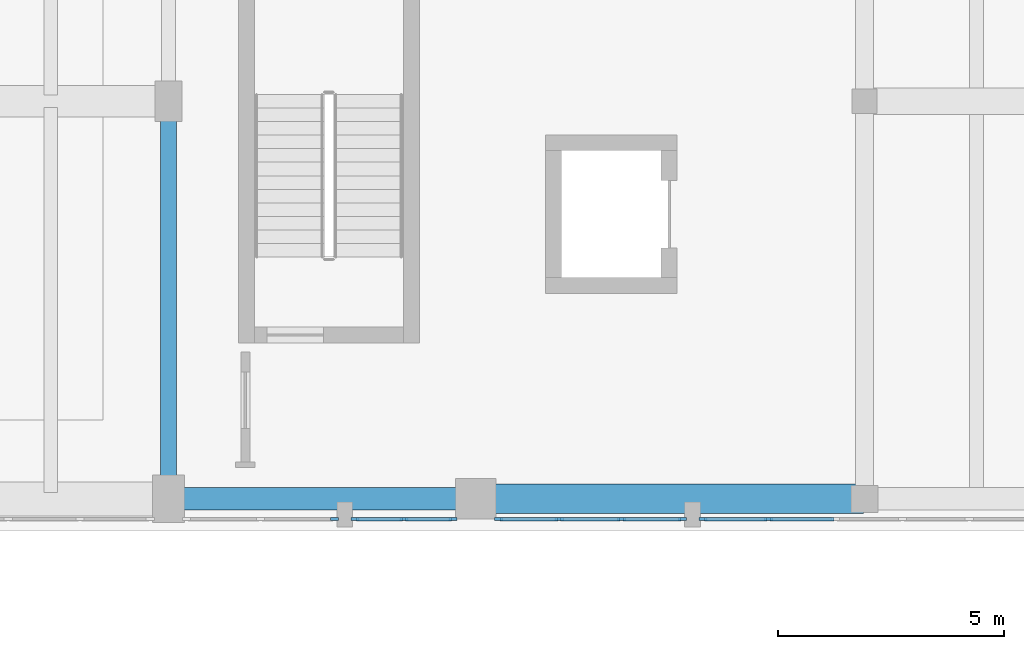
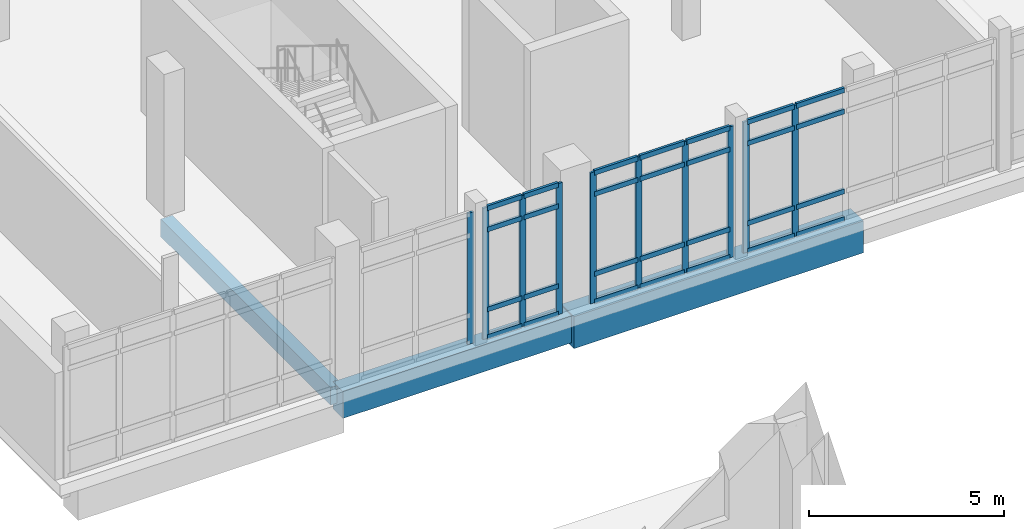
# One storey, part 26 of 89: 38 members, 3 beams, 4 elements without a shape of their own.
"""IFC4 building model written with IfcOpenShell, lengths in metres."""

import ifcopenshell
import ifcopenshell.guid

model = None  # the IFC model being written
_history = None  # IfcOwnerHistory: only IFC2X3 demands one
_inside = {}  # id of a spatial element -> (the spatial element, [elements in it])
_under = {}  # id of a project, library or spatial element -> (it, [spatial elements below it])
_declared = {}  # id of a project -> (the project, [libraries it declares])
_typed = {}  # id of a type object -> (the type object, [elements of that type])
_made_of = {}  # id of a material, layer set ... -> (it, [elements and type objects made of it])


def new_model(schema):
    """Start an empty IFC model of exactly this schema.

    Asked for "IFC4X3", IfcOpenShell would pick the latest addendum, in which some entities
    have other attributes; the version numbers below select the first issue.
    IFC2X3 requires an IfcOwnerHistory on every rooted entity: one is made here for all.
    """
    global model, _history
    if schema == "IFC4X3":
        model = ifcopenshell.file(schema_version=(4, 3, 0, 0))
    else:
        model = ifcopenshell.file(schema=schema)
    _inside.clear()
    _under.clear()
    _declared.clear()
    _typed.clear()
    _made_of.clear()
    _history = None
    if model.schema == "IFC2X3":
        org = make("IfcOrganization", Name="unknown")
        user = make(
            "IfcPersonAndOrganization",
            ThePerson=make("IfcPerson", FamilyName="unknown"),
            TheOrganization=org,
        )
        app = make(
            "IfcApplication",
            ApplicationDeveloper=org,
            Version="unknown",
            ApplicationFullName="unknown",
            ApplicationIdentifier="unknown",
        )
        _history = make(
            "IfcOwnerHistory",
            OwningUser=user,
            OwningApplication=app,
            ChangeAction="ADDED",
            CreationDate=0,
        )
    return model


def make(cls, **values):
    """One entity of the class cls with the attributes given. An attribute that is None is left unset."""
    return model.create_entity(
        cls, **{name: value for name, value in values.items() if value is not None}
    )


def rooted(cls, **values):
    """An entity with a GlobalId (a new one), such as an element, a storey or a relation."""
    return make(cls, GlobalId=ifcopenshell.guid.new(), OwnerHistory=_history, **values)


def si_unit(unit_type, name, prefix=None):
    """IfcSIUnit, for example si_unit("LENGTHUNIT", "METRE", prefix="MILLI")."""
    return make("IfcSIUnit", UnitType=unit_type, Prefix=prefix, Name=name)


def assignment(units):
    """IfcUnitAssignment: the units of a project."""
    return None if units is None else make("IfcUnitAssignment", Units=units)


def point(xyz):
    """IfcCartesianPoint."""
    return None if xyz is None else make("IfcCartesianPoint", Coordinates=xyz)


def direction(xyz):
    """IfcDirection."""
    return None if xyz is None else make("IfcDirection", DirectionRatios=xyz)


def frame(location, z_axis=None, x_axis=None):
    """IfcAxis2Placement3D, a coordinate frame: its origin and axes. An axis left out is left unset."""
    return make(
        "IfcAxis2Placement3D",
        Location=point(location),
        Axis=direction(z_axis),
        RefDirection=direction(x_axis),
    )


def frame_2d(location, x_axis=None):
    """IfcAxis2Placement2D, a coordinate frame in the plane: its origin and x axis."""
    return make(
        "IfcAxis2Placement2D", Location=point(location), RefDirection=direction(x_axis)
    )


def origin():
    """The frame at (0, 0, 0) with its axes left unset."""
    return frame((0.0, 0.0, 0.0))


def origin_2d():
    """The frame at (0, 0) in the plane with its x axis left unset."""
    return frame_2d((0.0, 0.0))


def place(relative_to, where):
    """IfcLocalPlacement: puts the frame where relative to a parent placement (None: the world)."""
    return make(
        "IfcLocalPlacement", PlacementRelTo=relative_to, RelativePlacement=where
    )


def context(
    kind, dimensions, precision=None, world=None, true_north=None, identifier=None
):
    """IfcGeometricRepresentationContext, for example the 3D "Model" context."""
    return make(
        "IfcGeometricRepresentationContext",
        ContextIdentifier=identifier,
        ContextType=kind,
        CoordinateSpaceDimension=dimensions,
        Precision=precision,
        WorldCoordinateSystem=world,
        TrueNorth=true_north,
    )


def subcontext(parent, identifier, kind, view, scale=None):
    """IfcGeometricRepresentationSubContext, for example "Body" below "Model"."""
    return make(
        "IfcGeometricRepresentationSubContext",
        ContextIdentifier=identifier,
        ContextType=kind,
        ParentContext=parent,
        TargetScale=scale,
        TargetView=view,
    )


def project(units=None, contexts=None):
    """IfcProject with its units and contexts."""
    return rooted(
        "IfcProject",
        Name="project",
        RepresentationContexts=contexts,
        UnitsInContext=assignment(units),
    )


def spatial(cls, under=None, at=None, **own):
    """A site, building, storey or space (cls), placed at a placement, below another one or the project."""
    s = rooted(cls, ObjectPlacement=at, **own)
    if under is not None:
        _under.setdefault(under.id(), (under, []))[1].append(s)
    return s


def profile(cls, at=None, kind="AREA", **sizes):
    """A parametric profile (cls). Its sizes go by their IFC names, for example OverallWidth=200.0."""
    return make(cls, ProfileType=kind, Position=at, **sizes)


def rectangle(**sizes):
    """IfcRectangleProfileDef."""
    return profile("IfcRectangleProfileDef", **sizes)


def extrude(swept, where, along, depth):
    """IfcExtrudedAreaSolid: the profile swept, set in the frame where, extruded along a direction by depth."""
    return make(
        "IfcExtrudedAreaSolid",
        SweptArea=swept,
        Position=where,
        ExtrudedDirection=direction(along),
        Depth=depth,
    )


def shape(context_of_items, identifier, shape_type, items):
    """IfcShapeRepresentation: the items that make up one representation, for example the "Body"."""
    return make(
        "IfcShapeRepresentation",
        ContextOfItems=context_of_items,
        RepresentationIdentifier=identifier,
        RepresentationType=shape_type,
        Items=items,
    )


def material(Name=None, Category=None):
    """IfcMaterial."""
    return make("IfcMaterial", Name=Name, Category=Category)


def material_profile(
    of_material, cross_section, Name=None, Category=None, Priority=None
):
    """IfcMaterialProfile: a cross section and its material."""
    return make(
        "IfcMaterialProfile",
        Name=Name,
        Material=of_material,
        Profile=cross_section,
        Priority=Priority,
        Category=Category,
    )


def profile_set(profiles, Name=None, composite=None):
    """IfcMaterialProfileSet."""
    return make(
        "IfcMaterialProfileSet",
        Name=Name,
        MaterialProfiles=profiles,
        CompositeProfile=composite,
    )


def made_of(thing, what):
    """Note that an element or type object is made of a material, layer set ...; save() writes the relation."""
    if what is not None:
        _made_of.setdefault(what.id(), (what, []))[1].append(thing)
    return thing


def type_object(cls, material=None, **own):
    """A type object (cls), such as IfcWallType, which elements share."""
    return made_of(rooted(cls, **own), material)


def element(
    cls,
    number,
    at=None,
    inside=None,
    cuts=None,
    type_object=None,
    material=None,
    context=None,
    identifier="Body",
    shape_type=None,
    held_by="IfcProductDefinitionShape",
    body=None,
    shapes=None,
    **own,
):
    """One element of the class cls, such as IfcWall. Its Tag is "e" and its number.

    at: its placement. inside: the storey or other place that contains it. cuts: it is an
    opening in that element (IfcRelVoidsElement). A single representation is given by context,
    identifier, shape_type and body (its items); several are given by shapes. held_by: the class
    of the entity that holds the representations. save() writes the other relations.
    """
    e = rooted(cls, Tag="e%d" % number, ObjectPlacement=at, **own)
    if body is not None:
        shapes = [shape(context, identifier, shape_type, body)]
    if shapes is not None:
        e.Representation = make(held_by, Representations=shapes)
    if inside is not None:
        _inside.setdefault(inside.id(), (inside, []))[1].append(e)
    if cuts is not None:
        rooted(
            "IfcRelVoidsElement", RelatingBuildingElement=cuts, RelatedOpeningElement=e
        )
    if type_object is not None:
        _typed.setdefault(type_object.id(), (type_object, []))[1].append(e)
    return made_of(e, material)


def aggregate(whole, parts):
    """IfcRelAggregates: a whole, such as a stair, and the parts it consists of."""
    return rooted("IfcRelAggregates", RelatingObject=whole, RelatedObjects=parts)


def save(model, path):
    """Write the relations noted so far, then the file.

    IfcRelAggregates (storeys below a building ...), IfcRelContainedInSpatialStructure (elements
    in a storey), IfcRelDefinesByType, IfcRelAssociatesMaterial and IfcRelDeclares: one each for
    every whole, place, type object, material and project.
    """
    for whole, parts in _under.values():
        aggregate(whole, parts)
    for where, things in _inside.values():
        rooted(
            "IfcRelContainedInSpatialStructure",
            RelatedElements=things,
            RelatingStructure=where,
        )
    for kind, things in _typed.values():
        rooted("IfcRelDefinesByType", RelatedObjects=things, RelatingType=kind)
    for what, things in _made_of.values():
        rooted("IfcRelAssociatesMaterial", RelatedObjects=things, RelatingMaterial=what)
    for by, libraries in _declared.values():
        rooted("IfcRelDeclares", RelatingContext=by, RelatedDefinitions=libraries)
    model.write(path)


model = new_model("IFC4")

# Units and contexts
model_context = context("Model", 3, precision=1e-05, world=origin(), true_north=direction((0.0, 1.0)))
body_context = subcontext(model_context, "Body", "Model", "MODEL_VIEW")
ifc_project = project(units=[si_unit("LENGTHUNIT", "METRE"), si_unit("AREAUNIT", "SQUARE_METRE"), si_unit("VOLUMEUNIT", "CUBIC_METRE"), si_unit("PLANEANGLEUNIT", "RADIAN"), si_unit("MASSUNIT", "GRAM", prefix="KILO")], contexts=[model_context])

# Site, building, storey
site_placement = place(None, origin())
site = spatial("IfcSite", under=ifc_project, at=site_placement, CompositionType="ELEMENT")
building_placement = place(site_placement, origin())
building = spatial("IfcBuilding", under=site, at=building_placement, Name="Soyqirgoq Riverine Aquarium", CompositionType="ELEMENT")
storey_placement = place(building_placement, frame((0.0, 0.0, 5.39990234375)))
storey = spatial("IfcBuildingStorey", under=building, at=storey_placement, Name="L02", CompositionType="ELEMENT", Elevation=5.39990234375)

# Curtain wall, members
ifc_material_1 = material(Name="Anodised aluminium thermally broken gallery curtain wall", Category="aluminium")
curtain_wall_type = type_object("IfcCurtainWallType", Name="CW_Pavilion_Ribbon", PredefinedType="NOTDEFINED", material=ifc_material_1)
curtain_wall_1_placement = place(storey_placement, origin())
curtain_wall_1 = element("IfcCurtainWall", 1, at=curtain_wall_1_placement, inside=storey, type_object=curtain_wall_type, Name="V7 L02 Curtain Wall 127", PredefinedType="NOTDEFINED")
ifc_material_2 = material(Name="Anodised aluminium 6063-T6", Category="aluminium")
ifc_material_profile_1 = material_profile(ifc_material_2, rectangle(XDim=0.06494140625, YDim=0.179931640625, at=origin_2d()), Name="ALU-M 65x180")
ifc_profile_set_1 = profile_set([ifc_material_profile_1], Name="Anodised aluminium 6063-T6")
member_type_1 = type_object("IfcMemberType", Name="CWMullion_65x180", PredefinedType="MULLION", material=ifc_profile_set_1)
member_1_placement = place(storey_placement, frame((135.876953125, 56.25, 0.0), z_axis=(0.0, 0.0, 1.0), x_axis=(0.0, -1.0, 0.0)))
member_1 = element("IfcMember", 2, at=member_1_placement, type_object=member_type_1, Name="CW-05 mullion 5", PredefinedType="MULLION", context=body_context, shape_type="SweptSolid", body=[
    extrude(rectangle(XDim=0.06494140625, YDim=0.179931640625, at=origin_2d()), origin(), (0.0, 0.0, 1.0), 4.10009765625),
])
member_2_placement = place(storey_placement, frame((134.427490234375, 56.25, 0.0), z_axis=(0.0, 0.0, 1.0), x_axis=(0.0, -1.0, 0.0)))
member_2 = element("IfcMember", 3, at=member_2_placement, type_object=member_type_1, Name="CW-05 mullion 6", PredefinedType="MULLION", context=body_context, shape_type="SweptSolid", body=[
    extrude(rectangle(XDim=0.06494140625, YDim=0.179931640625, at=origin_2d()), origin(), (0.0, 0.0, 1.0), 4.10009765625),
])

curtain_wall_2_placement = place(storey_placement, origin())
curtain_wall_2 = element("IfcCurtainWall", 4, at=curtain_wall_2_placement, inside=storey, type_object=curtain_wall_type, Name="V7 L02 Curtain Wall 128", PredefinedType="NOTDEFINED")
member_3_placement = place(storey_placement, frame((133.972412109375, 56.25, 0.0), z_axis=(0.0, 0.0, 1.0), x_axis=(0.0, -1.0, 0.0)))
member_3 = element("IfcMember", 5, at=member_3_placement, type_object=member_type_1, Name="CW-05 mullion 1", PredefinedType="MULLION", context=body_context, shape_type="SweptSolid", body=[
    extrude(rectangle(XDim=0.06494140625, YDim=0.179931640625, at=origin_2d()), origin(), (0.0, 0.0, 1.0), 4.10009765625),
])
member_4_placement = place(storey_placement, frame((132.626708984375, 56.25, 0.0), z_axis=(0.0, 0.0, 1.0), x_axis=(0.0, -1.0, 0.0)))
member_4 = element("IfcMember", 6, at=member_4_placement, type_object=member_type_1, Name="CW-05 mullion 2", PredefinedType="MULLION", context=body_context, shape_type="SweptSolid", body=[
    extrude(rectangle(XDim=0.06494140625, YDim=0.179931640625, at=origin_2d()), origin(), (0.0, 0.0, 1.0), 4.10009765625),
])
member_5_placement = place(storey_placement, frame((131.248291015625, 56.25, 0.0), z_axis=(0.0, 0.0, 1.0), x_axis=(0.0, -1.0, 0.0)))
member_5 = element("IfcMember", 7, at=member_5_placement, type_object=member_type_1, Name="CW-05 mullion 3", PredefinedType="MULLION", context=body_context, shape_type="SweptSolid", body=[
    extrude(rectangle(XDim=0.06494140625, YDim=0.179931640625, at=origin_2d()), origin(), (0.0, 0.0, 1.0), 4.10009765625),
])
member_6_placement = place(storey_placement, frame((129.902587890625, 56.25, 0.0), z_axis=(0.0, 0.0, 1.0), x_axis=(0.0, -1.0, 0.0)))
member_6 = element("IfcMember", 8, at=member_6_placement, type_object=member_type_1, Name="CW-05 mullion 4", PredefinedType="MULLION", context=body_context, shape_type="SweptSolid", body=[
    extrude(rectangle(XDim=0.06494140625, YDim=0.179931640625, at=origin_2d()), origin(), (0.0, 0.0, 1.0), 4.10009765625),
])

curtain_wall_3_placement = place(storey_placement, origin())
curtain_wall_3 = element("IfcCurtainWall", 9, at=curtain_wall_3_placement, inside=storey, type_object=curtain_wall_type, Name="V7 L02 Curtain Wall 129", PredefinedType="NOTDEFINED")
member_7_placement = place(storey_placement, frame((128.8974609375, 56.25, 0.0), z_axis=(0.0, 0.0, 1.0), x_axis=(0.0, -1.0, 0.0)))
member_7 = element("IfcMember", 10, at=member_7_placement, type_object=member_type_1, Name="CW-05 mullion 1", PredefinedType="MULLION", context=body_context, shape_type="SweptSolid", body=[
    extrude(rectangle(XDim=0.06494140625, YDim=0.179931640625, at=origin_2d()), origin(), (0.0, 0.0, 1.0), 4.10009765625),
])
member_8_placement = place(storey_placement, frame((127.8125, 56.25, 0.0), z_axis=(0.0, 0.0, 1.0), x_axis=(0.0, -1.0, 0.0)))
member_8 = element("IfcMember", 11, at=member_8_placement, type_object=member_type_1, Name="CW-05 mullion 2", PredefinedType="MULLION", context=body_context, shape_type="SweptSolid", body=[
    extrude(rectangle(XDim=0.06494140625, YDim=0.179931640625, at=origin_2d()), origin(), (0.0, 0.0, 1.0), 4.10009765625),
])
member_9_placement = place(storey_placement, frame((126.7275390625, 56.25, 0.0), z_axis=(0.0, 0.0, 1.0), x_axis=(0.0, -1.0, 0.0)))
member_9 = element("IfcMember", 12, at=member_9_placement, type_object=member_type_1, Name="CW-05 mullion 3", PredefinedType="MULLION", context=body_context, shape_type="SweptSolid", body=[
    extrude(rectangle(XDim=0.06494140625, YDim=0.179931640625, at=origin_2d()), origin(), (0.0, 0.0, 1.0), 4.10009765625),
])

# Curtain wall, member
curtain_wall_4_placement = place(storey_placement, origin())
curtain_wall_4 = element("IfcCurtainWall", 13, at=curtain_wall_4_placement, inside=storey, type_object=curtain_wall_type, Name="V7 L02 Curtain Wall 130", PredefinedType="NOTDEFINED")
member_10_placement = place(storey_placement, frame((126.2724609375, 56.25, 0.0), z_axis=(0.0, 0.0, 1.0), x_axis=(0.0, -1.0, 0.0)))
member_10 = element("IfcMember", 14, at=member_10_placement, type_object=member_type_1, Name="CW-05 mullion 1", PredefinedType="MULLION", context=body_context, shape_type="SweptSolid", body=[
    extrude(rectangle(XDim=0.06494140625, YDim=0.179931640625, at=origin_2d()), origin(), (0.0, 0.0, 1.0), 4.10009765625),
])
aggregate(curtain_wall_4, [member_10])

# Member
ifc_material_3 = material(Name="Anodised aluminium 6063-T6", Category="aluminium")
ifc_material_profile_2 = material_profile(ifc_material_3, rectangle(XDim=0.074951171875, YDim=0.14990234375, at=origin_2d()), Name="ALU-T 75x150")
ifc_profile_set_2 = profile_set([ifc_material_profile_2], Name="Anodised aluminium 6063-T6")
member_type_2 = type_object("IfcMemberType", Name="CWTransom_75x150", PredefinedType="USERDEFINED", material=ifc_profile_set_2)
member_11_placement = place(storey_placement, frame((137.326416015625, 56.25, 0.03759765625), z_axis=(-1.0, 0.0, 0.0), x_axis=(0.0, -1.0, 0.0)))
member_11 = element("IfcMember", 15, at=member_11_placement, type_object=member_type_2, Name="CW-05 transom 4.1", ObjectType="TRANSOM", PredefinedType="USERDEFINED", context=body_context, shape_type="SweptSolid", body=[
    extrude(rectangle(XDim=0.074951171875, YDim=0.14990234375, at=origin_2d()), origin(), (0.0, 0.0, 1.0), 1.4169921875),
])

member_12_placement = place(storey_placement, frame((137.326416015625, 56.25, 0.900146484375), z_axis=(-1.0, 0.0, 0.0), x_axis=(0.0, -1.0, 0.0)))
member_12 = element("IfcMember", 16, at=member_12_placement, type_object=member_type_2, Name="CW-05 transom 4.2", ObjectType="TRANSOM", PredefinedType="USERDEFINED", context=body_context, shape_type="SweptSolid", body=[
    extrude(rectangle(XDim=0.074951171875, YDim=0.14990234375, at=origin_2d()), origin(), (0.0, 0.0, 1.0), 1.4169921875),
])

member_13_placement = place(storey_placement, frame((137.326416015625, 56.25, 3.400146484375), z_axis=(-1.0, 0.0, 0.0), x_axis=(0.0, -1.0, 0.0)))
member_13 = element("IfcMember", 17, at=member_13_placement, type_object=member_type_2, Name="CW-05 transom 4.3", ObjectType="TRANSOM", PredefinedType="USERDEFINED", context=body_context, shape_type="SweptSolid", body=[
    extrude(rectangle(XDim=0.074951171875, YDim=0.14990234375, at=origin_2d()), origin(), (0.0, 0.0, 1.0), 1.4169921875),
])

member_14_placement = place(storey_placement, frame((137.326416015625, 56.25, 4.0625), z_axis=(-1.0, 0.0, 0.0), x_axis=(0.0, -1.0, 0.0)))
member_14 = element("IfcMember", 18, at=member_14_placement, type_object=member_type_2, Name="CW-05 transom 4.4", ObjectType="TRANSOM", PredefinedType="USERDEFINED", context=body_context, shape_type="SweptSolid", body=[
    extrude(rectangle(XDim=0.074951171875, YDim=0.14990234375, at=origin_2d()), origin(), (0.0, 0.0, 1.0), 1.4169921875),
])

member_15_placement = place(storey_placement, frame((135.844482421875, 56.25, 0.03759765625), z_axis=(-1.0, 0.0, 0.0), x_axis=(0.0, -1.0, 0.0)))
member_15 = element("IfcMember", 19, at=member_15_placement, type_object=member_type_2, Name="CW-05 transom 5.1", ObjectType="TRANSOM", PredefinedType="USERDEFINED", context=body_context, shape_type="SweptSolid", body=[
    extrude(rectangle(XDim=0.074951171875, YDim=0.14990234375, at=origin_2d()), origin(), (0.0, 0.0, 1.0), 1.384521484375),
])

member_16_placement = place(storey_placement, frame((135.844482421875, 56.25, 0.900146484375), z_axis=(-1.0, 0.0, 0.0), x_axis=(0.0, -1.0, 0.0)))
member_16 = element("IfcMember", 20, at=member_16_placement, type_object=member_type_2, Name="CW-05 transom 5.2", ObjectType="TRANSOM", PredefinedType="USERDEFINED", context=body_context, shape_type="SweptSolid", body=[
    extrude(rectangle(XDim=0.074951171875, YDim=0.14990234375, at=origin_2d()), origin(), (0.0, 0.0, 1.0), 1.384521484375),
])

member_17_placement = place(storey_placement, frame((135.844482421875, 56.25, 3.400146484375), z_axis=(-1.0, 0.0, 0.0), x_axis=(0.0, -1.0, 0.0)))
member_17 = element("IfcMember", 21, at=member_17_placement, type_object=member_type_2, Name="CW-05 transom 5.3", ObjectType="TRANSOM", PredefinedType="USERDEFINED", context=body_context, shape_type="SweptSolid", body=[
    extrude(rectangle(XDim=0.074951171875, YDim=0.14990234375, at=origin_2d()), origin(), (0.0, 0.0, 1.0), 1.384521484375),
])

member_18_placement = place(storey_placement, frame((135.844482421875, 56.25, 4.0625), z_axis=(-1.0, 0.0, 0.0), x_axis=(0.0, -1.0, 0.0)))
member_18 = element("IfcMember", 22, at=member_18_placement, type_object=member_type_2, Name="CW-05 transom 5.4", ObjectType="TRANSOM", PredefinedType="USERDEFINED", context=body_context, shape_type="SweptSolid", body=[
    extrude(rectangle(XDim=0.074951171875, YDim=0.14990234375, at=origin_2d()), origin(), (0.0, 0.0, 1.0), 1.384521484375),
])

aggregate(curtain_wall_1, [member_1, member_2, member_11, member_12, member_13, member_14, member_15, member_16, member_17, member_18])

member_19_placement = place(storey_placement, frame((133.93994140625, 56.25, 0.03759765625), z_axis=(-1.0, 0.0, 0.0), x_axis=(0.0, -1.0, 0.0)))
member_19 = element("IfcMember", 23, at=member_19_placement, type_object=member_type_2, Name="CW-05 transom 1.1", ObjectType="TRANSOM", PredefinedType="USERDEFINED", context=body_context, shape_type="SweptSolid", body=[
    extrude(rectangle(XDim=0.074951171875, YDim=0.14990234375, at=origin_2d()), origin(), (0.0, 0.0, 1.0), 1.28076171875),
])

member_20_placement = place(storey_placement, frame((133.93994140625, 56.25, 0.900146484375), z_axis=(-1.0, 0.0, 0.0), x_axis=(0.0, -1.0, 0.0)))
member_20 = element("IfcMember", 24, at=member_20_placement, type_object=member_type_2, Name="CW-05 transom 1.2", ObjectType="TRANSOM", PredefinedType="USERDEFINED", context=body_context, shape_type="SweptSolid", body=[
    extrude(rectangle(XDim=0.074951171875, YDim=0.14990234375, at=origin_2d()), origin(), (0.0, 0.0, 1.0), 1.28076171875),
])

member_21_placement = place(storey_placement, frame((133.93994140625, 56.25, 3.400146484375), z_axis=(-1.0, 0.0, 0.0), x_axis=(0.0, -1.0, 0.0)))
member_21 = element("IfcMember", 25, at=member_21_placement, type_object=member_type_2, Name="CW-05 transom 1.3", ObjectType="TRANSOM", PredefinedType="USERDEFINED", context=body_context, shape_type="SweptSolid", body=[
    extrude(rectangle(XDim=0.074951171875, YDim=0.14990234375, at=origin_2d()), origin(), (0.0, 0.0, 1.0), 1.28076171875),
])

member_22_placement = place(storey_placement, frame((133.93994140625, 56.25, 4.0625), z_axis=(-1.0, 0.0, 0.0), x_axis=(0.0, -1.0, 0.0)))
member_22 = element("IfcMember", 26, at=member_22_placement, type_object=member_type_2, Name="CW-05 transom 1.4", ObjectType="TRANSOM", PredefinedType="USERDEFINED", context=body_context, shape_type="SweptSolid", body=[
    extrude(rectangle(XDim=0.074951171875, YDim=0.14990234375, at=origin_2d()), origin(), (0.0, 0.0, 1.0), 1.28076171875),
])

member_23_placement = place(storey_placement, frame((132.59423828125, 56.25, 0.03759765625), z_axis=(-1.0, 0.0, 0.0), x_axis=(0.0, -1.0, 0.0)))
member_23 = element("IfcMember", 27, at=member_23_placement, type_object=member_type_2, Name="CW-05 transom 2.1", ObjectType="TRANSOM", PredefinedType="USERDEFINED", context=body_context, shape_type="SweptSolid", body=[
    extrude(rectangle(XDim=0.074951171875, YDim=0.14990234375, at=origin_2d()), origin(), (0.0, 0.0, 1.0), 1.3134765625),
])

member_24_placement = place(storey_placement, frame((132.59423828125, 56.25, 0.900146484375), z_axis=(-1.0, 0.0, 0.0), x_axis=(0.0, -1.0, 0.0)))
member_24 = element("IfcMember", 28, at=member_24_placement, type_object=member_type_2, Name="CW-05 transom 2.2", ObjectType="TRANSOM", PredefinedType="USERDEFINED", context=body_context, shape_type="SweptSolid", body=[
    extrude(rectangle(XDim=0.074951171875, YDim=0.14990234375, at=origin_2d()), origin(), (0.0, 0.0, 1.0), 1.3134765625),
])

member_25_placement = place(storey_placement, frame((132.59423828125, 56.25, 3.400146484375), z_axis=(-1.0, 0.0, 0.0), x_axis=(0.0, -1.0, 0.0)))
member_25 = element("IfcMember", 29, at=member_25_placement, type_object=member_type_2, Name="CW-05 transom 2.3", ObjectType="TRANSOM", PredefinedType="USERDEFINED", context=body_context, shape_type="SweptSolid", body=[
    extrude(rectangle(XDim=0.074951171875, YDim=0.14990234375, at=origin_2d()), origin(), (0.0, 0.0, 1.0), 1.3134765625),
])

member_26_placement = place(storey_placement, frame((132.59423828125, 56.25, 4.0625), z_axis=(-1.0, 0.0, 0.0), x_axis=(0.0, -1.0, 0.0)))
member_26 = element("IfcMember", 30, at=member_26_placement, type_object=member_type_2, Name="CW-05 transom 2.4", ObjectType="TRANSOM", PredefinedType="USERDEFINED", context=body_context, shape_type="SweptSolid", body=[
    extrude(rectangle(XDim=0.074951171875, YDim=0.14990234375, at=origin_2d()), origin(), (0.0, 0.0, 1.0), 1.3134765625),
])

member_27_placement = place(storey_placement, frame((131.2158203125, 56.25, 0.03759765625), z_axis=(-1.0, 0.0, 0.0), x_axis=(0.0, -1.0, 0.0)))
member_27 = element("IfcMember", 31, at=member_27_placement, type_object=member_type_2, Name="CW-05 transom 3.1", ObjectType="TRANSOM", PredefinedType="USERDEFINED", context=body_context, shape_type="SweptSolid", body=[
    extrude(rectangle(XDim=0.074951171875, YDim=0.14990234375, at=origin_2d()), origin(), (0.0, 0.0, 1.0), 1.28076171875),
])

member_28_placement = place(storey_placement, frame((131.2158203125, 56.25, 0.900146484375), z_axis=(-1.0, 0.0, 0.0), x_axis=(0.0, -1.0, 0.0)))
member_28 = element("IfcMember", 32, at=member_28_placement, type_object=member_type_2, Name="CW-05 transom 3.2", ObjectType="TRANSOM", PredefinedType="USERDEFINED", context=body_context, shape_type="SweptSolid", body=[
    extrude(rectangle(XDim=0.074951171875, YDim=0.14990234375, at=origin_2d()), origin(), (0.0, 0.0, 1.0), 1.28076171875),
])

member_29_placement = place(storey_placement, frame((131.2158203125, 56.25, 3.400146484375), z_axis=(-1.0, 0.0, 0.0), x_axis=(0.0, -1.0, 0.0)))
member_29 = element("IfcMember", 33, at=member_29_placement, type_object=member_type_2, Name="CW-05 transom 3.3", ObjectType="TRANSOM", PredefinedType="USERDEFINED", context=body_context, shape_type="SweptSolid", body=[
    extrude(rectangle(XDim=0.074951171875, YDim=0.14990234375, at=origin_2d()), origin(), (0.0, 0.0, 1.0), 1.28076171875),
])

member_30_placement = place(storey_placement, frame((131.2158203125, 56.25, 4.0625), z_axis=(-1.0, 0.0, 0.0), x_axis=(0.0, -1.0, 0.0)))
member_30 = element("IfcMember", 34, at=member_30_placement, type_object=member_type_2, Name="CW-05 transom 3.4", ObjectType="TRANSOM", PredefinedType="USERDEFINED", context=body_context, shape_type="SweptSolid", body=[
    extrude(rectangle(XDim=0.074951171875, YDim=0.14990234375, at=origin_2d()), origin(), (0.0, 0.0, 1.0), 1.28076171875),
])

aggregate(curtain_wall_2, [member_3, member_4, member_5, member_6, member_19, member_20, member_21, member_22, member_23, member_24, member_25, member_26, member_27, member_28, member_29, member_30])

member_31_placement = place(storey_placement, frame((128.864990234375, 56.25, 0.03759765625), z_axis=(-1.0, 0.0, 0.0), x_axis=(0.0, -1.0, 0.0)))
member_31 = element("IfcMember", 35, at=member_31_placement, type_object=member_type_2, Name="CW-05 transom 1.1", ObjectType="TRANSOM", PredefinedType="USERDEFINED", context=body_context, shape_type="SweptSolid", body=[
    extrude(rectangle(XDim=0.074951171875, YDim=0.14990234375, at=origin_2d()), origin(), (0.0, 0.0, 1.0), 1.02001953125),
])

member_32_placement = place(storey_placement, frame((128.864990234375, 56.25, 0.900146484375), z_axis=(-1.0, 0.0, 0.0), x_axis=(0.0, -1.0, 0.0)))
member_32 = element("IfcMember", 36, at=member_32_placement, type_object=member_type_2, Name="CW-05 transom 1.2", ObjectType="TRANSOM", PredefinedType="USERDEFINED", context=body_context, shape_type="SweptSolid", body=[
    extrude(rectangle(XDim=0.074951171875, YDim=0.14990234375, at=origin_2d()), origin(), (0.0, 0.0, 1.0), 1.02001953125),
])

member_33_placement = place(storey_placement, frame((128.864990234375, 56.25, 3.400146484375), z_axis=(-1.0, 0.0, 0.0), x_axis=(0.0, -1.0, 0.0)))
member_33 = element("IfcMember", 37, at=member_33_placement, type_object=member_type_2, Name="CW-05 transom 1.3", ObjectType="TRANSOM", PredefinedType="USERDEFINED", context=body_context, shape_type="SweptSolid", body=[
    extrude(rectangle(XDim=0.074951171875, YDim=0.14990234375, at=origin_2d()), origin(), (0.0, 0.0, 1.0), 1.02001953125),
])

member_34_placement = place(storey_placement, frame((128.864990234375, 56.25, 4.0625), z_axis=(-1.0, 0.0, 0.0), x_axis=(0.0, -1.0, 0.0)))
member_34 = element("IfcMember", 38, at=member_34_placement, type_object=member_type_2, Name="CW-05 transom 1.4", ObjectType="TRANSOM", PredefinedType="USERDEFINED", context=body_context, shape_type="SweptSolid", body=[
    extrude(rectangle(XDim=0.074951171875, YDim=0.14990234375, at=origin_2d()), origin(), (0.0, 0.0, 1.0), 1.02001953125),
])

member_35_placement = place(storey_placement, frame((127.780029296875, 56.25, 0.03759765625), z_axis=(-1.0, 0.0, 0.0), x_axis=(0.0, -1.0, 0.0)))
member_35 = element("IfcMember", 39, at=member_35_placement, type_object=member_type_2, Name="CW-05 transom 2.1", ObjectType="TRANSOM", PredefinedType="USERDEFINED", context=body_context, shape_type="SweptSolid", body=[
    extrude(rectangle(XDim=0.074951171875, YDim=0.14990234375, at=origin_2d()), origin(), (0.0, 0.0, 1.0), 1.02001953125),
])

member_36_placement = place(storey_placement, frame((127.780029296875, 56.25, 0.900146484375), z_axis=(-1.0, 0.0, 0.0), x_axis=(0.0, -1.0, 0.0)))
member_36 = element("IfcMember", 40, at=member_36_placement, type_object=member_type_2, Name="CW-05 transom 2.2", ObjectType="TRANSOM", PredefinedType="USERDEFINED", context=body_context, shape_type="SweptSolid", body=[
    extrude(rectangle(XDim=0.074951171875, YDim=0.14990234375, at=origin_2d()), origin(), (0.0, 0.0, 1.0), 1.02001953125),
])

member_37_placement = place(storey_placement, frame((127.780029296875, 56.25, 3.400146484375), z_axis=(-1.0, 0.0, 0.0), x_axis=(0.0, -1.0, 0.0)))
member_37 = element("IfcMember", 41, at=member_37_placement, type_object=member_type_2, Name="CW-05 transom 2.3", ObjectType="TRANSOM", PredefinedType="USERDEFINED", context=body_context, shape_type="SweptSolid", body=[
    extrude(rectangle(XDim=0.074951171875, YDim=0.14990234375, at=origin_2d()), origin(), (0.0, 0.0, 1.0), 1.02001953125),
])

member_38_placement = place(storey_placement, frame((127.780029296875, 56.25, 4.0625), z_axis=(-1.0, 0.0, 0.0), x_axis=(0.0, -1.0, 0.0)))
member_38 = element("IfcMember", 42, at=member_38_placement, type_object=member_type_2, Name="CW-05 transom 2.4", ObjectType="TRANSOM", PredefinedType="USERDEFINED", context=body_context, shape_type="SweptSolid", body=[
    extrude(rectangle(XDim=0.074951171875, YDim=0.14990234375, at=origin_2d()), origin(), (0.0, 0.0, 1.0), 1.02001953125),
])

aggregate(curtain_wall_3, [member_7, member_8, member_9, member_31, member_32, member_33, member_34, member_35, member_36, member_37, member_38])

# Beams
ifc_material_4 = material(Name="Concrete C40/50", Category="concrete")
ifc_material_profile_3 = material_profile(ifc_material_4, rectangle(XDim=0.5, YDim=0.85009765625, at=origin_2d()), Name="RC 500x850")
ifc_profile_set_3 = profile_set([ifc_material_profile_3], Name="Concrete C40/50")
beam_type_1 = type_object("IfcBeamType", Name="Girder_RC_500x850", PredefinedType="BEAM", material=ifc_profile_set_3)
beam_1_placement = place(storey_placement, frame((122.6201171875, 56.699951171875, -0.77490234375), z_axis=(1.0, 0.0, 0.0), x_axis=(0.0, 1.0, 0.0)))
element("IfcBeam", 43, at=beam_1_placement, inside=storey, type_object=beam_type_1, Name="V7 L02 East-West Frame Girder 1303", PredefinedType="BEAM", context=body_context, shape_type="SweptSolid", body=[
    extrude(rectangle(XDim=0.5, YDim=0.85009765625, at=origin_2d()), origin(), (0.0, 0.0, 1.0), 6.759765625),
])
ifc_material_5 = material(Name="Concrete C40/50", Category="concrete")
ifc_material_profile_4 = material_profile(ifc_material_5, rectangle(XDim=0.64990234375, YDim=1.0, at=origin_2d()), Name="RC 650x1000")
ifc_profile_set_4 = profile_set([ifc_material_profile_4], Name="Concrete C40/50")
beam_type_2 = type_object("IfcBeamType", Name="Girder_RC_650x1000", PredefinedType="BEAM", material=ifc_profile_set_4)
beam_2_placement = place(storey_placement, frame((129.419921875, 56.699951171875, -0.849853515625), z_axis=(1.0, 0.0, 0.0), x_axis=(0.0, 1.0, 0.0)))
element("IfcBeam", 44, at=beam_2_placement, inside=storey, type_object=beam_type_2, Name="V7 L02 East-West Frame Girder 1314", PredefinedType="BEAM", context=body_context, shape_type="SweptSolid", body=[
    extrude(rectangle(XDim=0.64990234375, YDim=1.0, at=origin_2d()), origin(), (0.0, 0.0, 1.0), 8.56005859375),
])
ifc_material_6 = material(Name="Concrete C40/50", Category="concrete")
ifc_material_profile_5 = material_profile(ifc_material_6, rectangle(XDim=0.35009765625, YDim=0.550048828125, at=origin_2d()), Name="RC 350x550")
ifc_profile_set_5 = profile_set([ifc_material_profile_5], Name="Concrete C40/50")
beam_type_3 = type_object("IfcBeamType", Name="TBeam_RC_350x550", PredefinedType="T_BEAM", material=ifc_profile_set_5)
beam_3_placement = place(storey_placement, frame((122.60009765625, 56.75, -0.625), z_axis=(0.0, 1.0, 0.0), x_axis=(-1.0, 0.0, 0.0)))
element("IfcBeam", 45, at=beam_3_placement, inside=storey, type_object=beam_type_3, Name="V7 L02 North-South Frame Beam 1302", PredefinedType="T_BEAM", context=body_context, shape_type="SweptSolid", body=[
    extrude(rectangle(XDim=0.35009765625, YDim=0.550048828125, at=origin_2d()), origin(), (0.0, 0.0, 1.0), 8.699951171875),
])

save(model, "model.ifc")
